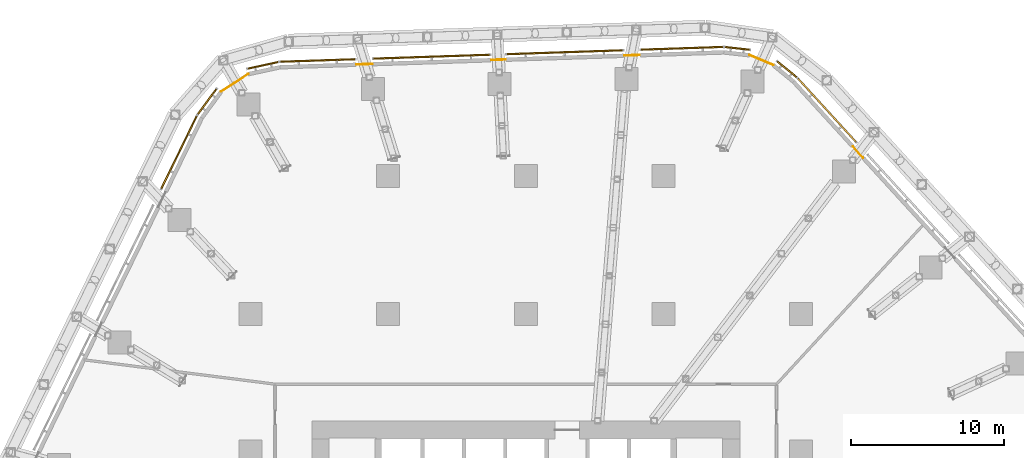
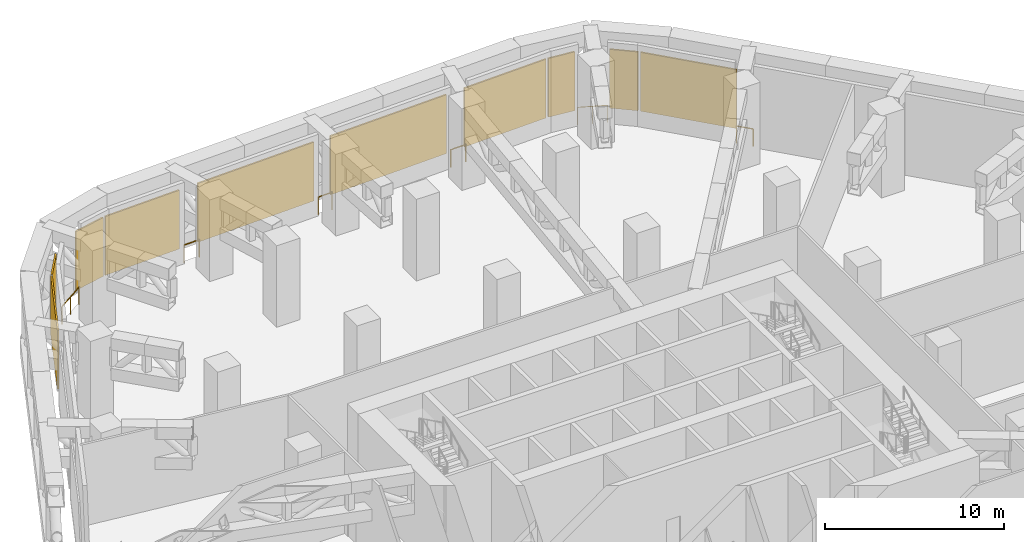
# One storey, part 38 of 38: 10 coverings, 6 railings, 5 elements without a shape of their own.
"""IFC4 building model written with IfcOpenShell, lengths in metres."""

from ifc_helpers import new_model, si_unit, direction, frame, origin, origin_2d, place, context, subcontext, project, spatial, rectangle, circle, extrude, material, layer, layer_set, type_object, element, aggregate, save


model = new_model("IFC4")

# Units and contexts
model_context = context("Model", 3, precision=1e-05, world=origin(), true_north=direction((0.0, 1.0)))
body_context = subcontext(model_context, "Body", "Model", "MODEL_VIEW")
ifc_project = project(units=[si_unit("LENGTHUNIT", "METRE"), si_unit("AREAUNIT", "SQUARE_METRE"), si_unit("VOLUMEUNIT", "CUBIC_METRE"), si_unit("PLANEANGLEUNIT", "RADIAN"), si_unit("MASSUNIT", "GRAM", prefix="KILO")], contexts=[model_context])

# Site, building, storey
site_placement = place(None, origin())
site = spatial("IfcSite", under=ifc_project, at=site_placement, CompositionType="ELEMENT")
building_placement = place(site_placement, origin())
building = spatial("IfcBuilding", under=site, at=building_placement, Name="Dongbaek Canopy Tower", CompositionType="ELEMENT")
storey_placement = place(building_placement, frame((0.0, 0.0, 89.199951171875)))
storey = spatial("IfcBuildingStorey", under=building, at=storey_placement, Name="L18", CompositionType="ELEMENT", Elevation=89.199951171875)

# Curtain wall, covering
ifc_material_1 = material(Name="Aluminium 6063-T6 pale anodised", Category="aluminium")
ifc_layer_1 = layer(ifc_material_1, 0.14990234375)
ifc_layer_set_1 = layer_set([ifc_layer_1], Name="CW-7 louvre curtain wall")
curtain_wall_type = type_object("IfcCurtainWallType", Name="CW-7 louvre curtain wall", PredefinedType="NOTDEFINED", material=ifc_layer_set_1)
curtain_wall_1_placement = place(storey_placement, origin())
curtain_wall_1 = element("IfcCurtainWall", 1, at=curtain_wall_1_placement, inside=storey, type_object=curtain_wall_type, Name="CW-7 louvre wall L18 F0", PredefinedType="NOTDEFINED")
ifc_material_2 = material(Name="Aluminium 6063-T6 pale metal louvre blades", Category="aluminium")
ifc_layer_2 = layer(ifc_material_2, 0.10009765625)
ifc_layer_set_2 = layer_set([ifc_layer_2], Name="Louvre LV bank 100 x 4000")
covering_type = type_object("IfcCoveringType", Name="Louvre LV bank 100 x 4000", PredefinedType="CLADDING", material=ifc_layer_set_2)
covering_1_placement = place(storey_placement, frame((19.697998046875, 31.3134765625, 0.775146484375), z_axis=(0.0, 0.0, 1.0), x_axis=(-0.674646668897, 0.738140821352, 0.0)))
covering_1 = element("IfcCovering", 2, at=covering_1_placement, type_object=covering_type, Name="Louvre L18 F0.4.1", PredefinedType="CLADDING", context=body_context, shape_type="SweptSolid", body=[
    extrude(rectangle(XDim=5.62158203125, YDim=0.10009765625, at=origin_2d()), origin(), (0.0, 0.0, 1.0), 4.0),
])
aggregate(curtain_wall_1, [covering_1])

# Curtain wall, coverings
curtain_wall_2_placement = place(storey_placement, origin())
curtain_wall_2 = element("IfcCurtainWall", 3, at=curtain_wall_2_placement, inside=storey, type_object=curtain_wall_type, Name="CW-7 louvre wall L18 K1", PredefinedType="NOTDEFINED")
covering_2_placement = place(storey_placement, frame((17.077392578125, 33.99462890625, 0.775146484375), z_axis=(0.0, 0.0, 1.0), x_axis=(-0.773563840337, 0.633718379821, 0.0)))
covering_2 = element("IfcCovering", 4, at=covering_2_placement, type_object=covering_type, Name="Louvre L18 K1.1.1", PredefinedType="CLADDING", context=body_context, shape_type="SweptSolid", body=[
    extrude(rectangle(XDim=1.60986328125, YDim=0.10009765625, at=origin_2d()), origin(), (0.0, 0.0, 1.0), 4.0),
])
covering_3_placement = place(storey_placement, frame((13.83203125, 35.36083984375, 0.775146484375), z_axis=(0.0, 0.0, 1.0), x_axis=(-0.993899819316, 0.110286668117, 0.0)))
covering_3 = element("IfcCovering", 5, at=covering_3_placement, type_object=covering_type, Name="Louvre L18 K1.2.1", PredefinedType="CLADDING", context=body_context, shape_type="SweptSolid", body=[
    extrude(rectangle(XDim=1.60986328125, YDim=0.10009765625, at=origin_2d()), origin(), (0.0, 0.0, 1.0), 4.0),
])
aggregate(curtain_wall_2, [covering_2, covering_3])

curtain_wall_3_placement = place(storey_placement, origin())
curtain_wall_3 = element("IfcCurtainWall", 6, at=curtain_wall_3_placement, inside=storey, type_object=curtain_wall_type, Name="CW-7 louvre wall L18 F1", PredefinedType="NOTDEFINED")
covering_4_placement = place(storey_placement, frame((10.2099609375, 35.365234375, 0.775146484375), z_axis=(0.0, 0.0, 1.0), x_axis=(-0.999440657305, -0.033442077166, 0.0)))
covering_4 = element("IfcCovering", 7, at=covering_4_placement, type_object=covering_type, Name="Louvre L18 F1.1.1", PredefinedType="CLADDING", context=body_context, shape_type="SweptSolid", body=[
    extrude(rectangle(XDim=5.36669921875, YDim=0.10009765625, at=origin_2d()), origin(), (0.0, 0.0, 1.0), 4.0),
])
covering_5_placement = place(storey_placement, frame((2.54150390625, 35.108642578125, 0.775146484375), z_axis=(0.0, 0.0, 1.0), x_axis=(-0.999440657305, -0.033442077166, 0.0)))
covering_5 = element("IfcCovering", 8, at=covering_5_placement, type_object=covering_type, Name="Louvre L18 F1.2.1", PredefinedType="CLADDING", context=body_context, shape_type="SweptSolid", body=[
    extrude(rectangle(XDim=7.60107421875, YDim=0.10009765625, at=origin_2d()), origin(), (0.0, 0.0, 1.0), 4.0),
])
covering_6_placement = place(storey_placement, frame((-6.159423828125, 34.817626953125, 0.775146484375), z_axis=(0.0, 0.0, 1.0), x_axis=(-0.999440657305, -0.033442077166, 0.0)))
covering_6 = element("IfcCovering", 9, at=covering_6_placement, type_object=covering_type, Name="Louvre L18 F1.3.1", PredefinedType="CLADDING", context=body_context, shape_type="SweptSolid", body=[
    extrude(rectangle(XDim=7.614990234375, YDim=0.10009765625, at=origin_2d()), origin(), (0.0, 0.0, 1.0), 4.0),
])
covering_7_placement = place(storey_placement, frame((-13.60498046875, 34.568359375, 0.775146484375), z_axis=(0.0, 0.0, 1.0), x_axis=(-0.999440657305, -0.033442077166, 0.0)))
covering_7 = element("IfcCovering", 10, at=covering_7_placement, type_object=covering_type, Name="Louvre L18 F1.4.1", PredefinedType="CLADDING", context=body_context, shape_type="SweptSolid", body=[
    extrude(rectangle(XDim=4.875, YDim=0.10009765625, at=origin_2d()), origin(), (0.0, 0.0, 1.0), 4.0),
])
aggregate(curtain_wall_3, [covering_4, covering_5, covering_6, covering_7])

curtain_wall_4_placement = place(storey_placement, origin())
curtain_wall_4 = element("IfcCurtainWall", 11, at=curtain_wall_4_placement, inside=storey, type_object=curtain_wall_type, Name="CW-7 louvre wall L18 K2", PredefinedType="NOTDEFINED")
covering_8_placement = place(storey_placement, frame((-17.1884765625, 34.25146484375, 0.775146484375), z_axis=(0.0, 0.0, 1.0), x_axis=(-0.977178622754, -0.212419253442, 0.0)))
covering_8 = element("IfcCovering", 12, at=covering_8_placement, type_object=covering_type, Name="Louvre L18 K2.1.1", PredefinedType="CLADDING", context=body_context, shape_type="SweptSolid", body=[
    extrude(rectangle(XDim=2.0380859375, YDim=0.10009765625, at=origin_2d()), origin(), (0.0, 0.0, 1.0), 4.0),
])
covering_9_placement = place(storey_placement, frame((-20.84423828125, 31.881103515625, 0.775146484375), z_axis=(0.0, 0.0, 1.0), x_axis=(-0.59264549968, -0.805463414258, 0.0)))
covering_9 = element("IfcCovering", 13, at=covering_9_placement, type_object=covering_type, Name="Louvre L18 K2.2.1", PredefinedType="CLADDING", context=body_context, shape_type="SweptSolid", body=[
    extrude(rectangle(XDim=2.0380859375, YDim=0.10009765625, at=origin_2d()), origin(), (0.0, 0.0, 1.0), 4.0),
])
aggregate(curtain_wall_4, [covering_8, covering_9])

# Curtain wall, covering
curtain_wall_5_placement = place(storey_placement, origin())
curtain_wall_5 = element("IfcCurtainWall", 14, at=curtain_wall_5_placement, inside=storey, type_object=curtain_wall_type, Name="CW-7 louvre wall L18 F2", PredefinedType="NOTDEFINED")
covering_10_placement = place(storey_placement, frame((-22.68505859375, 28.555419921875, 0.775146484375), z_axis=(0.0, 0.0, 1.0), x_axis=(-0.438327995219, -0.898815091444, 0.0)))
covering_10 = element("IfcCovering", 15, at=covering_10_placement, type_object=covering_type, Name="Louvre L18 F2.1.1", PredefinedType="CLADDING", context=body_context, shape_type="SweptSolid", body=[
    extrude(rectangle(XDim=5.28271484375, YDim=0.10009765625, at=origin_2d()), origin(), (0.0, 0.0, 1.0), 4.0),
])
aggregate(curtain_wall_5, [covering_10])

# Railings
ifc_material_3 = material(Name="Stainless steel", Category="steel")
railing_type = type_object("IfcRailingType", Name="Plant opening guard 1200", PredefinedType="GUARDRAIL", material=ifc_material_3)
railing_1_placement = place(storey_placement, frame((22.05908203125, 28.21142578125, 0.0)))
element("IfcRailing", 16, at=railing_1_placement, inside=storey, type_object=railing_type, Name="Plant opening guard L18 F0 3", PredefinedType="GUARDRAIL", context=body_context, shape_type="SweptSolid", body=[
    extrude(circle(Radius=0.02392578125, at=origin_2d()), frame((0.0, 0.0, 1.17578125), z_axis=(-0.674648599503, 0.73813905681, 0.0), x_axis=(-0.73813905681, -0.674648599503, 0.0)), (0.0, 0.0, 1.0), 0.976806640625),
    extrude(circle(Radius=0.02099609375, at=origin_2d()), origin(), (0.0, 0.0, 1.0), 1.15185546875),
    extrude(circle(Radius=0.02099609375, at=origin_2d()), frame((-0.658935546875, 0.720947265625, 0.0)), (0.0, 0.0, 1.0), 1.15185546875),
])
railing_2_placement = place(storey_placement, frame((16.197998046875, 34.2626953125, 0.0)))
element("IfcRailing", 17, at=railing_2_placement, inside=storey, type_object=railing_type, Name="Plant opening guard L18 K1 1", PredefinedType="GUARDRAIL", context=body_context, shape_type="SweptSolid", body=[
    extrude(circle(Radius=0.02392578125, at=origin_2d()), frame((0.0, 0.0, 1.17578125), z_axis=(-0.92169239126, 0.387921558945, 0.0), x_axis=(-0.387921558945, -0.92169239126, 0.0)), (0.0, 0.0, 1.0), 1.6923828125),
    extrude(circle(Radius=0.02099609375, at=origin_2d()), origin(), (0.0, 0.0, 1.0), 1.15185546875),
    extrude(circle(Radius=0.02099609375, at=origin_2d()), frame((-0.77978515625, 0.328125, 0.0)), (0.0, 0.0, 1.0), 1.15185546875),
    extrude(circle(Radius=0.02099609375, at=origin_2d()), frame((-1.559814453125, 0.656494140625, 0.0)), (0.0, 0.0, 1.0), 1.15185546875),
])
railing_3_placement = place(storey_placement, frame((7.44482421875, 34.922607421875, 0.0)))
element("IfcRailing", 18, at=railing_3_placement, inside=storey, type_object=railing_type, Name="Plant opening guard L18 F1 1", PredefinedType="GUARDRAIL", context=body_context, shape_type="SweptSolid", body=[
    extrude(circle(Radius=0.02392578125, at=origin_2d()), frame((0.0, 0.0, 1.17578125), z_axis=(-0.99943919553, -0.033485734847, 0.0), x_axis=(0.033485734847, -0.99943919553, 0.0)), (0.0, 0.0, 1.0), 0.998779296875),
    extrude(circle(Radius=0.02099609375, at=origin_2d()), origin(), (0.0, 0.0, 1.0), 1.15185546875),
    extrude(circle(Radius=0.02099609375, at=origin_2d()), frame((-0.998291015625, -0.033447265625, 0.0)), (0.0, 0.0, 1.0), 1.15185546875),
])
railing_4_placement = place(storey_placement, frame((-1.340087890625, 34.628662109375, 0.0)))
element("IfcRailing", 19, at=railing_4_placement, inside=storey, type_object=railing_type, Name="Plant opening guard L18 F1 2", PredefinedType="GUARDRAIL", context=body_context, shape_type="SweptSolid", body=[
    extrude(circle(Radius=0.02392578125, at=origin_2d()), frame((0.0, 0.0, 1.17578125), z_axis=(-0.999434711376, -0.033619305415, 0.0), x_axis=(0.033619305415, -0.999434711376, 0.0)), (0.0, 0.0, 1.0), 0.90771484375),
    extrude(circle(Radius=0.02099609375, at=origin_2d()), origin(), (0.0, 0.0, 1.0), 1.15185546875),
    extrude(circle(Radius=0.02099609375, at=origin_2d()), frame((-0.9072265625, -0.030517578125, 0.0)), (0.0, 0.0, 1.0), 1.15185546875),
])
railing_5_placement = place(storey_placement, frame((-10.048095703125, 34.337158203125, 0.0)))
element("IfcRailing", 20, at=railing_5_placement, inside=storey, type_object=railing_type, Name="Plant opening guard L18 F1 3", PredefinedType="GUARDRAIL", context=body_context, shape_type="SweptSolid", body=[
    extrude(circle(Radius=0.02392578125, at=origin_2d()), frame((0.0, 0.0, 1.17578125), z_axis=(-0.999440626224, -0.033443006029, 0.0), x_axis=(0.033443006029, -0.999440626224, 0.0)), (0.0, 0.0, 1.0), 1.0146484375),
    extrude(circle(Radius=0.02099609375, at=origin_2d()), origin(), (0.0, 0.0, 1.0), 1.15185546875),
    extrude(circle(Radius=0.02099609375, at=origin_2d()), frame((-1.01416015625, -0.033935546875, 0.0)), (0.0, 0.0, 1.0), 1.15185546875),
])
railing_6_placement = place(storey_placement, frame((-18.15380859375, 33.68359375, 0.0)))
element("IfcRailing", 21, at=railing_6_placement, inside=storey, type_object=railing_type, Name="Plant opening guard L18 K2 1", PredefinedType="GUARDRAIL", context=body_context, shape_type="SweptSolid", body=[
    extrude(circle(Radius=0.02392578125, at=origin_2d()), frame((0.0, 0.0, 1.17578125), z_axis=(-0.839072155233, -0.544020145134, 0.0), x_axis=(0.544020145134, -0.839072155233, 0.0)), (0.0, 0.0, 1.0), 2.119140625),
    extrude(circle(Radius=0.02099609375, at=origin_2d()), origin(), (0.0, 0.0, 1.0), 1.15185546875),
    extrude(circle(Radius=0.02099609375, at=origin_2d()), frame((-0.88916015625, -0.576416015625, 0.0)), (0.0, 0.0, 1.0), 1.15185546875),
    extrude(circle(Radius=0.02099609375, at=origin_2d()), frame((-1.778076171875, -1.15283203125, 0.0)), (0.0, 0.0, 1.0), 1.15185546875),
])

save(model, "model.ifc")
